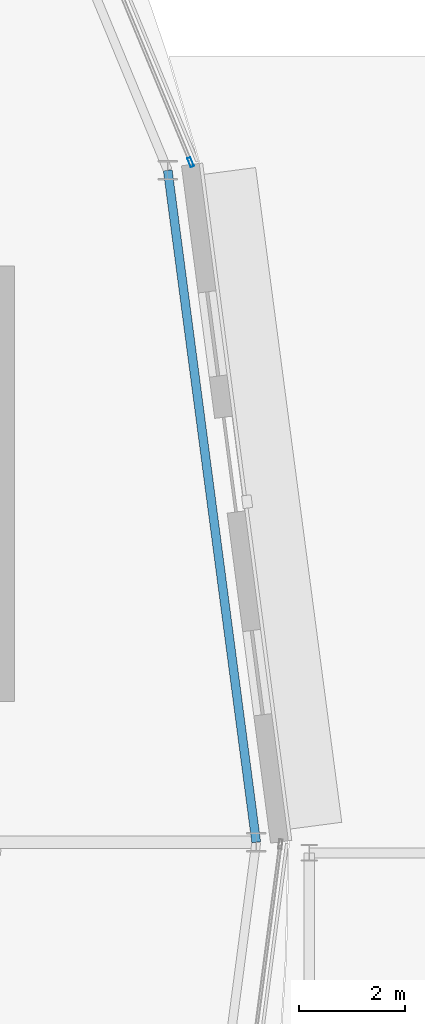
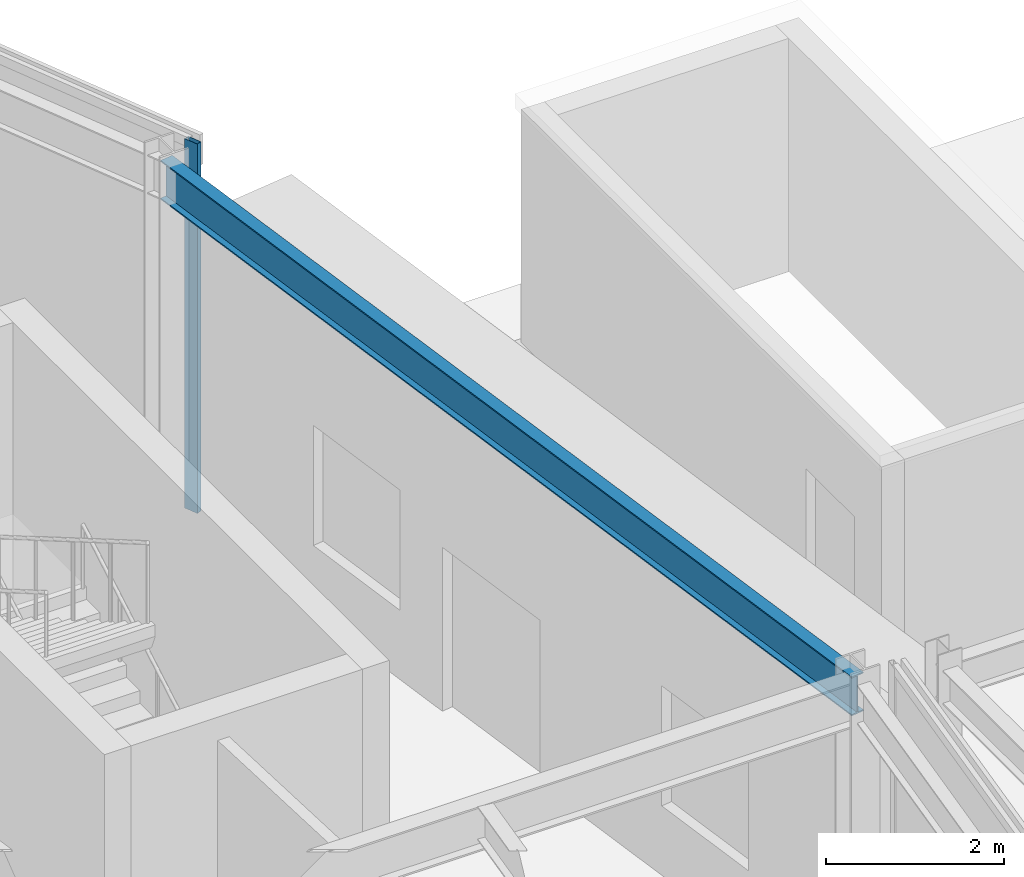
# One storey, part 100 of 168: 1 beam, 1 member, 1 element without a shape of its own.
"""IFC4 building model written with IfcOpenShell, lengths in metres."""

from ifc_helpers import new_model, si_unit, direction, frame, origin, origin_2d, place, context, subcontext, project, spatial, hollow_rectangle, i_section, extrude, material, material_profile, profile_set, type_object, element, aggregate, save


model = new_model("IFC4")

# Units and contexts
model_context = context("Model", 3, precision=1e-05, world=origin(), true_north=direction((0.0, 1.0)))
body_context = subcontext(model_context, "Body", "Model", "MODEL_VIEW")
ifc_project = project(units=[si_unit("LENGTHUNIT", "METRE"), si_unit("AREAUNIT", "SQUARE_METRE"), si_unit("VOLUMEUNIT", "CUBIC_METRE"), si_unit("PLANEANGLEUNIT", "RADIAN"), si_unit("MASSUNIT", "GRAM", prefix="KILO")], contexts=[model_context])

# Site, building, storey
site_placement = place(None, origin())
site = spatial("IfcSite", under=ifc_project, at=site_placement, CompositionType="ELEMENT")
building_placement = place(site_placement, origin())
building = spatial("IfcBuilding", under=site, at=building_placement, Name="Almandine Court Research Institute", CompositionType="ELEMENT")
storey_placement = place(building_placement, origin())
storey = spatial("IfcBuildingStorey", under=building, at=storey_placement, Name="L00", CompositionType="ELEMENT", Elevation=0.0)

# Beam
ifc_material_1 = material(Name="Steel ASTM A992 Grade 50", Category="steel")
ifc_material_profile_1 = material_profile(ifc_material_1, i_section(OverallWidth=0.166015625, OverallDepth=0.534912109375, WebThickness=0.010009765625, FlangeThickness=0.01708984375, at=origin_2d()), Name="W530x85")
ifc_profile_set_1 = profile_set([ifc_material_profile_1], Name="Steel ASTM A992 Grade 50")
beam_type = type_object("IfcBeamType", Name="Beam-G-05-E", PredefinedType="SPANDREL", material=ifc_profile_set_1)
beam_placement = place(storey_placement, frame((135.89990234375, 56.0, 4.802978515625), z_axis=(-0.130512396599, 0.991446677504, 0.0), x_axis=(-0.991446677504, -0.130512396599, 0.0)))
element("IfcBeam", 1, at=beam_placement, inside=storey, type_object=beam_type, Name="L00 Drum OUT Ring Beam 00", PredefinedType="SPANDREL", context=body_context, shape_type="SweptSolid", body=[
    extrude(i_section(OverallWidth=0.166015625, OverallDepth=0.534912109375, WebThickness=0.010009765625, FlangeThickness=0.01708984375, at=origin_2d()), origin(), (0.0, 0.0, 1.0), 12.76513671875),
])

# Curtain wall, member
ifc_material_2 = material(Name="Unitised Curtain Wall Framing and Solar Glazing", Category="glass")
curtain_wall_type = type_object("IfcCurtainWallType", Name="CW-CWJ-17", PredefinedType="USERDEFINED", material=ifc_material_2)
curtain_wall_placement = place(storey_placement, origin())
curtain_wall = element("IfcCurtainWall", 2, at=curtain_wall_placement, inside=storey, type_object=curtain_wall_type, Name="L00 Stacked-Ring Drum Outer Solar Jali Screen 01", ObjectType="SOLAR JALI SCREEN", PredefinedType="USERDEFINED")
ifc_material_3 = material(Name="Anodised Aluminium AW-6063-T6", Category="aluminium")
ifc_material_profile_2 = material_profile(ifc_material_3, hollow_rectangle(XDim=0.06494140625, YDim=0.179931640625, WallThickness=0.00390625, at=origin_2d()), Name="ALU RHS 65x180x4")
ifc_profile_set_2 = profile_set([ifc_material_profile_2], Name="Anodised Aluminium AW-6063-T6")
member_type = type_object("IfcMemberType", Name="CWMul-65x180", PredefinedType="MULLION", material=ifc_profile_set_2)
member_placement = place(storey_placement, frame((134.66455078125, 68.80908203125, 0.0), z_axis=(0.0, 0.0, 1.0), x_axis=(0.923888124321, 0.382662689242, 0.0)))
member = element("IfcMember", 3, at=member_placement, type_object=member_type, Name="CWJ-17 mullion 4", PredefinedType="MULLION", context=body_context, shape_type="SweptSolid", body=[
    extrude(hollow_rectangle(XDim=0.06494140625, YDim=0.179931640625, WallThickness=0.00390625, at=origin_2d()), origin(), (0.0, 0.0, 1.0), 5.070068359375),
])
aggregate(curtain_wall, [member])

save(model, "model.ifc")
